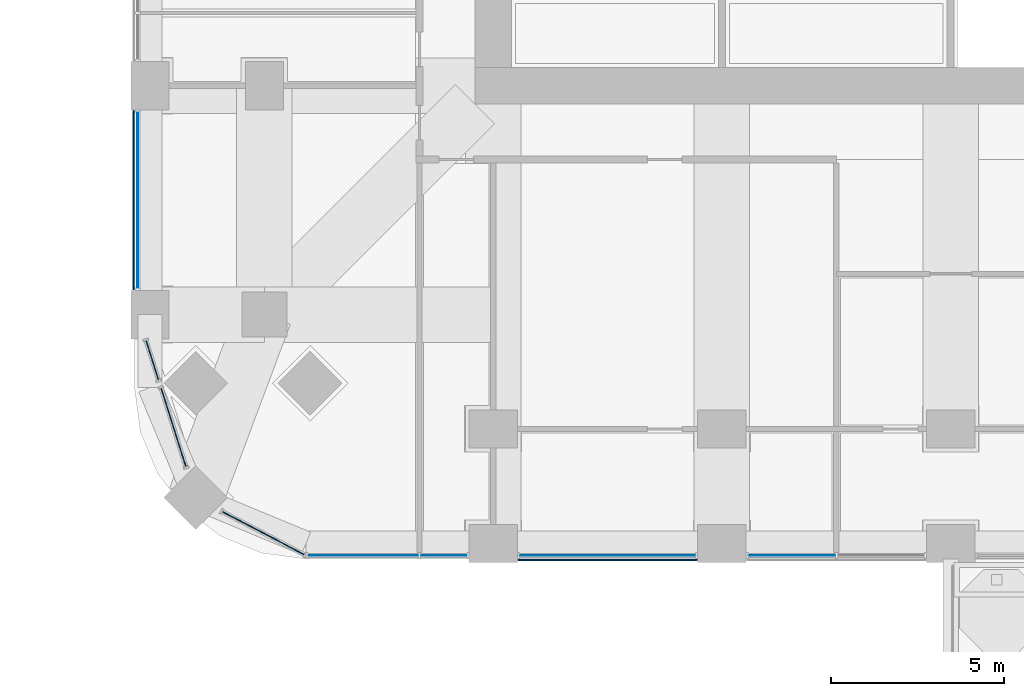
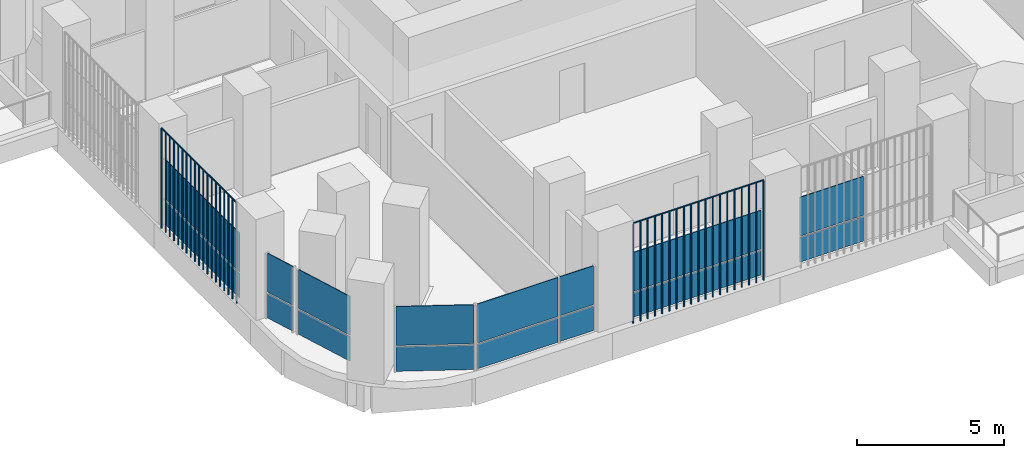
# One storey, part 9 of 23: 18 plates, 7 elements without a shape of their own.
"""IFC4 building model written with IfcOpenShell, lengths in metres."""

from ifc_helpers import new_model, si_unit, direction, frame, origin, origin_2d, place, context, subcontext, project, spatial, polyline, rectangle, outline, extrude, material, layer, layer_set, type_object, element, aggregate, save


model = new_model("IFC4")

# Units and contexts
model_context = context("Model", 3, precision=1e-05, world=origin(), true_north=direction((0.0, 1.0)))
body_context = subcontext(model_context, "Body", "Model", "MODEL_VIEW")
ifc_project = project(units=[si_unit("LENGTHUNIT", "METRE"), si_unit("AREAUNIT", "SQUARE_METRE"), si_unit("VOLUMEUNIT", "CUBIC_METRE"), si_unit("PLANEANGLEUNIT", "RADIAN"), si_unit("MASSUNIT", "GRAM", prefix="KILO")], contexts=[model_context])

# Site, building, storey
site_placement = place(None, origin())
site = spatial("IfcSite", under=ifc_project, at=site_placement, CompositionType="ELEMENT")
building_placement = place(site_placement, origin())
building = spatial("IfcBuilding", under=site, at=building_placement, Name="Cobogo Forest Laboratory Tower", CompositionType="ELEMENT")
storey_placement = place(building_placement, frame((0.0, 0.0, 128.39990234375)))
storey = spatial("IfcBuildingStorey", under=building, at=storey_placement, Name="L29", CompositionType="ELEMENT", Elevation=128.39990234375)

# Curtain wall, plates
ifc_material_1 = material(Name="Aluminium curtain wall", Category="aluminium")
curtain_wall_type = type_object("IfcCurtainWallType", Name="CW-1 unitised curtain wall, clear glazing, laboratory floors zones A and B", PredefinedType="USERDEFINED", material=ifc_material_1)
curtain_wall_1_placement = place(storey_placement, origin())
curtain_wall_1 = element("IfcCurtainWall", 1, at=curtain_wall_1_placement, inside=storey, type_object=curtain_wall_type, Name="Curtain wall 01 L29", ObjectType="UNITISED CURTAIN WALL", PredefinedType="USERDEFINED")
ifc_material_2 = material(Name="Clear insulated glass", Category="glass")
ifc_layer = layer(ifc_material_2, 0.028076171875)
ifc_layer_set = layer_set([ifc_layer], Name="GP-1 clear insulated glass unit 28")
plate_type_1 = type_object("IfcPlateType", Name="GP-1 clear insulated glass unit 28", PredefinedType="CURTAIN_PANEL", material=ifc_layer_set)
plate_1_placement = place(storey_placement, frame((9.452392578125, -0.35009765625, 0.0), z_axis=(0.0, 0.0, 1.0), x_axis=(1.0, 0.0, 0.0)))
plate_1 = element("IfcPlate", 2, at=plate_1_placement, type_object=plate_type_1, Name="CW-1 panel 1.1", PredefinedType="CURTAIN_PANEL", context=body_context, shape_type="SweptSolid", body=[
    extrude(rectangle(XDim=3.18505859375, YDim=0.028076171875, at=origin_2d()), origin(), (0.0, 0.0, 1.0), 1.02001953125),
])
plate_2_placement = place(storey_placement, frame((9.452392578125, -0.35009765625, 1.080078125), z_axis=(0.0, 0.0, 1.0), x_axis=(1.0, 0.0, 0.0)))
plate_2 = element("IfcPlate", 3, at=plate_2_placement, type_object=plate_type_1, Name="CW-1 panel 1.2", PredefinedType="CURTAIN_PANEL", context=body_context, shape_type="SweptSolid", body=[
    extrude(rectangle(XDim=3.18505859375, YDim=0.028076171875, at=origin_2d()), origin(), (0.0, 0.0, 1.0), 1.6201171875),
])
plate_3_placement = place(storey_placement, frame((11.7724609375, -0.35009765625, 0.0), z_axis=(0.0, 0.0, 1.0), x_axis=(1.0, 0.0, 0.0)))
plate_3 = element("IfcPlate", 4, at=plate_3_placement, type_object=plate_type_1, Name="CW-1 panel 2.1", PredefinedType="CURTAIN_PANEL", context=body_context, shape_type="SweptSolid", body=[
    extrude(rectangle(XDim=1.3349609375, YDim=0.028076171875, at=origin_2d()), origin(), (0.0, 0.0, 1.0), 1.02001953125),
])
plate_4_placement = place(storey_placement, frame((11.7724609375, -0.35009765625, 1.080078125), z_axis=(0.0, 0.0, 1.0), x_axis=(1.0, 0.0, 0.0)))
plate_4 = element("IfcPlate", 5, at=plate_4_placement, type_object=plate_type_1, Name="CW-1 panel 2.2", PredefinedType="CURTAIN_PANEL", context=body_context, shape_type="SweptSolid", body=[
    extrude(rectangle(XDim=1.3349609375, YDim=0.028076171875, at=origin_2d()), origin(), (0.0, 0.0, 1.0), 1.6201171875),
])
aggregate(curtain_wall_1, [plate_1, plate_2, plate_3, plate_4])

curtain_wall_2_placement = place(storey_placement, origin())
curtain_wall_2 = element("IfcCurtainWall", 6, at=curtain_wall_2_placement, inside=storey, type_object=curtain_wall_type, Name="Curtain wall 02 L29", ObjectType="UNITISED CURTAIN WALL", PredefinedType="USERDEFINED")
plate_5_placement = place(storey_placement, frame((16.5, -0.35009765625, 0.0), z_axis=(0.0, 0.0, 1.0), x_axis=(1.0, 0.0, 0.0)))
plate_5 = element("IfcPlate", 7, at=plate_5_placement, type_object=plate_type_1, Name="CW-1 panel 1.1", PredefinedType="CURTAIN_PANEL", context=body_context, shape_type="SweptSolid", body=[
    extrude(rectangle(XDim=5.080078125, YDim=0.028076171875, at=origin_2d()), origin(), (0.0, 0.0, 1.0), 1.02001953125),
])
plate_6_placement = place(storey_placement, frame((16.5, -0.35009765625, 1.080078125), z_axis=(0.0, 0.0, 1.0), x_axis=(1.0, 0.0, 0.0)))
plate_6 = element("IfcPlate", 8, at=plate_6_placement, type_object=plate_type_1, Name="CW-1 panel 1.2", PredefinedType="CURTAIN_PANEL", context=body_context, shape_type="SweptSolid", body=[
    extrude(rectangle(XDim=5.080078125, YDim=0.028076171875, at=origin_2d()), origin(), (0.0, 0.0, 1.0), 1.6201171875),
])
aggregate(curtain_wall_2, [plate_5, plate_6])

curtain_wall_3_placement = place(storey_placement, origin())
curtain_wall_3 = element("IfcCurtainWall", 9, at=curtain_wall_3_placement, inside=storey, type_object=curtain_wall_type, Name="Curtain wall 03 L29", ObjectType="UNITISED CURTAIN WALL", PredefinedType="USERDEFINED")
plate_7_placement = place(storey_placement, frame((21.81494140625, -0.35009765625, 0.0), z_axis=(0.0, 0.0, 1.0), x_axis=(1.0, 0.0, 0.0)))
plate_7 = element("IfcPlate", 10, at=plate_7_placement, type_object=plate_type_1, Name="CW-1 panel 1.1", PredefinedType="CURTAIN_PANEL", context=body_context, shape_type="SweptSolid", body=[
    extrude(rectangle(XDim=2.510009765625, YDim=0.028076171875, at=origin_2d()), origin(), (0.0, 0.0, 1.0), 1.02001953125),
])
plate_8_placement = place(storey_placement, frame((21.81494140625, -0.35009765625, 1.080078125), z_axis=(0.0, 0.0, 1.0), x_axis=(1.0, 0.0, 0.0)))
plate_8 = element("IfcPlate", 11, at=plate_8_placement, type_object=plate_type_1, Name="CW-1 panel 1.2", PredefinedType="CURTAIN_PANEL", context=body_context, shape_type="SweptSolid", body=[
    extrude(rectangle(XDim=2.510009765625, YDim=0.028076171875, at=origin_2d()), origin(), (0.0, 0.0, 1.0), 1.6201171875),
])
aggregate(curtain_wall_3, [plate_7, plate_8])

curtain_wall_4_placement = place(storey_placement, origin())
curtain_wall_4 = element("IfcCurtainWall", 12, at=curtain_wall_4_placement, inside=storey, type_object=curtain_wall_type, Name="Curtain wall 31 L29", ObjectType="UNITISED CURTAIN WALL", PredefinedType="USERDEFINED")
plate_9_placement = place(storey_placement, frame((2.949951171875, 9.89990234375, 0.0), z_axis=(0.0, 0.0, 1.0), x_axis=(0.0, -1.0, 0.0)))
plate_9 = element("IfcPlate", 13, at=plate_9_placement, type_object=plate_type_1, Name="CW-1 panel 1.1", PredefinedType="CURTAIN_PANEL", context=body_context, shape_type="SweptSolid", body=[
    extrude(rectangle(XDim=5.080078125, YDim=0.028076171875, at=origin_2d()), origin(), (0.0, 0.0, 1.0), 1.02001953125),
])
plate_10_placement = place(storey_placement, frame((2.949951171875, 9.89990234375, 1.080078125), z_axis=(0.0, 0.0, 1.0), x_axis=(0.0, -1.0, 0.0)))
plate_10 = element("IfcPlate", 14, at=plate_10_placement, type_object=plate_type_1, Name="CW-1 panel 1.2", PredefinedType="CURTAIN_PANEL", context=body_context, shape_type="SweptSolid", body=[
    extrude(rectangle(XDim=5.080078125, YDim=0.028076171875, at=origin_2d()), origin(), (0.0, 0.0, 1.0), 1.6201171875),
])
aggregate(curtain_wall_4, [plate_9, plate_10])

curtain_wall_5_placement = place(storey_placement, origin())
curtain_wall_5 = element("IfcCurtainWall", 15, at=curtain_wall_5_placement, inside=storey, type_object=curtain_wall_type, Name="Curtain wall 32 L29", ObjectType="UNITISED CURTAIN WALL", PredefinedType="USERDEFINED")
plate_11_placement = place(storey_placement, frame((3.3662109375, 5.2822265625, 0.0), z_axis=(0.0, 0.0, 1.0), x_axis=(0.301135356805, -0.953581405483, 0.0)))
plate_11 = element("IfcPlate", 16, at=plate_11_placement, type_object=plate_type_1, Name="CW-1 panel 1.1", PredefinedType="CURTAIN_PANEL", context=body_context, shape_type="SweptSolid", body=[
    extrude(rectangle(XDim=1.17578125, YDim=0.028076171875, at=origin_2d()), origin(), (0.0, 0.0, 1.0), 1.02001953125),
])
plate_12_placement = place(storey_placement, frame((3.3662109375, 5.2822265625, 1.080078125), z_axis=(0.0, 0.0, 1.0), x_axis=(0.301135356805, -0.953581405483, 0.0)))
plate_12 = element("IfcPlate", 17, at=plate_12_placement, type_object=plate_type_1, Name="CW-1 panel 1.2", PredefinedType="CURTAIN_PANEL", context=body_context, shape_type="SweptSolid", body=[
    extrude(rectangle(XDim=1.17578125, YDim=0.028076171875, at=origin_2d()), origin(), (0.0, 0.0, 1.0), 1.6201171875),
])
aggregate(curtain_wall_5, [plate_11, plate_12])

curtain_wall_6_placement = place(storey_placement, origin())
curtain_wall_6 = element("IfcCurtainWall", 18, at=curtain_wall_6_placement, inside=storey, type_object=curtain_wall_type, Name="Curtain wall 33 L29", ObjectType="UNITISED CURTAIN WALL", PredefinedType="USERDEFINED")
plate_13_placement = place(storey_placement, frame((3.978759765625, 3.342529296875, 0.0), z_axis=(0.0, 0.0, 1.0), x_axis=(0.301135291996, -0.953581425949, 0.0)))
plate_13 = element("IfcPlate", 19, at=plate_13_placement, type_object=plate_type_1, Name="CW-1 panel 1.1", PredefinedType="CURTAIN_PANEL", context=body_context, shape_type="SweptSolid", body=[
    extrude(rectangle(XDim=2.3681640625, YDim=0.028076171875, at=origin_2d()), origin(), (0.0, 0.0, 1.0), 1.02001953125),
])
plate_14_placement = place(storey_placement, frame((3.978759765625, 3.342529296875, 1.080078125), z_axis=(0.0, 0.0, 1.0), x_axis=(0.301135291996, -0.953581425949, 0.0)))
plate_14 = element("IfcPlate", 20, at=plate_14_placement, type_object=plate_type_1, Name="CW-1 panel 1.2", PredefinedType="CURTAIN_PANEL", context=body_context, shape_type="SweptSolid", body=[
    extrude(rectangle(XDim=2.3681640625, YDim=0.028076171875, at=origin_2d()), origin(), (0.0, 0.0, 1.0), 1.6201171875),
])
aggregate(curtain_wall_6, [plate_13, plate_14])

curtain_wall_7_placement = place(storey_placement, origin())
curtain_wall_7 = element("IfcCurtainWall", 21, at=curtain_wall_7_placement, inside=storey, type_object=curtain_wall_type, Name="Curtain wall 34 L29", ObjectType="UNITISED CURTAIN WALL", PredefinedType="USERDEFINED")
plate_15_placement = place(storey_placement, frame((6.57080078125, 0.29443359375, 0.0), z_axis=(0.0, 0.0, 1.0), x_axis=(0.885686547075, -0.464283685186, 0.0)))
plate_15 = element("IfcPlate", 22, at=plate_15_placement, type_object=plate_type_1, Name="CW-1 panel 1.1", PredefinedType="CURTAIN_PANEL", context=body_context, shape_type="SweptSolid", body=[
    extrude(rectangle(XDim=2.655517578125, YDim=0.028076171875, at=origin_2d()), origin(), (0.0, 0.0, 1.0), 1.02001953125),
])
plate_16_placement = place(storey_placement, frame((6.57080078125, 0.29443359375, 1.080078125), z_axis=(0.0, 0.0, 1.0), x_axis=(0.885686547075, -0.464283685186, 0.0)))
plate_16 = element("IfcPlate", 23, at=plate_16_placement, type_object=plate_type_1, Name="CW-1 panel 1.2", PredefinedType="CURTAIN_PANEL", context=body_context, shape_type="SweptSolid", body=[
    extrude(rectangle(XDim=2.655517578125, YDim=0.028076171875, at=origin_2d()), origin(), (0.0, 0.0, 1.0), 1.6201171875),
])
aggregate(curtain_wall_7, [plate_15, plate_16])

# Plates
ifc_material_3 = material(Name="Terracotta", Category="masonry")
plate_type_2 = type_object("IfcPlateType", Name="TB1 terracotta baguette screen", PredefinedType="USERDEFINED", material=ifc_material_3)
plate_17_placement = place(storey_placement, frame((13.93115234375, -0.477783203125, -0.14990234375)))
element("IfcPlate", 24, at=plate_17_placement, inside=storey, type_object=plate_type_2, Name="Baguette screen S1 L29", ObjectType="BAGUETTE SCREEN", PredefinedType="USERDEFINED", context=body_context, shape_type="SweptSolid", body=[
    extrude(outline(polyline([(0.02880859375, 0.011962890625), (0.011962890625, 0.02880859375), (-0.011962890625, 0.02880859375), (-0.02880859375, 0.011962890625), (-0.02880859375, -0.011962890625), (-0.011962890625, -0.02880859375), (0.011962890625, -0.02880859375), (0.02880859375, -0.011962890625), (0.02880859375, 0.011962890625)])), frame((0.0, 0.0, 4.168701171875), z_axis=(1.0, 0.0, 0.0), x_axis=(0.0, 1.0, 0.0)), (0.0, 0.0, 1.0), 5.1376953125),
    extrude(outline(polyline([(0.02880859375, 0.011962890625), (0.011962890625, 0.02880859375), (-0.011962890625, 0.02880859375), (-0.02880859375, 0.011962890625), (-0.02880859375, -0.011962890625), (-0.011962890625, -0.02880859375), (0.011962890625, -0.02880859375), (0.02880859375, -0.011962890625), (0.02880859375, 0.011962890625)])), origin(), (0.0, 0.0, 1.0), 4.137451171875),
    extrude(outline(polyline([(0.02880859375, 0.011962890625), (0.011962890625, 0.02880859375), (-0.011962890625, 0.02880859375), (-0.02880859375, 0.011962890625), (-0.02880859375, -0.011962890625), (-0.011962890625, -0.02880859375), (0.011962890625, -0.02880859375), (0.02880859375, -0.011962890625), (0.02880859375, 0.011962890625)])), frame((0.285400390625, 0.0, 0.0)), (0.0, 0.0, 1.0), 4.137451171875),
    extrude(outline(polyline([(0.02880859375, 0.011962890625), (0.011962890625, 0.02880859375), (-0.011962890625, 0.02880859375), (-0.02880859375, 0.011962890625), (-0.02880859375, -0.011962890625), (-0.011962890625, -0.02880859375), (0.011962890625, -0.02880859375), (0.02880859375, -0.011962890625), (0.02880859375, 0.011962890625)])), frame((0.57080078125, 0.0, 0.0)), (0.0, 0.0, 1.0), 4.137451171875),
    extrude(outline(polyline([(0.02880859375, 0.011962890625), (0.011962890625, 0.02880859375), (-0.011962890625, 0.02880859375), (-0.02880859375, 0.011962890625), (-0.02880859375, -0.011962890625), (-0.011962890625, -0.02880859375), (0.011962890625, -0.02880859375), (0.02880859375, -0.011962890625), (0.02880859375, 0.011962890625)])), frame((0.856201171875, 0.0, 0.0)), (0.0, 0.0, 1.0), 4.137451171875),
    extrude(outline(polyline([(0.02880859375, 0.011962890625), (0.011962890625, 0.02880859375), (-0.011962890625, 0.02880859375), (-0.02880859375, 0.011962890625), (-0.02880859375, -0.011962890625), (-0.011962890625, -0.02880859375), (0.011962890625, -0.02880859375), (0.02880859375, -0.011962890625), (0.02880859375, 0.011962890625)])), frame((1.1416015625, 0.0, 0.0)), (0.0, 0.0, 1.0), 4.137451171875),
    extrude(outline(polyline([(0.02880859375, 0.011962890625), (0.011962890625, 0.02880859375), (-0.011962890625, 0.02880859375), (-0.02880859375, 0.011962890625), (-0.02880859375, -0.011962890625), (-0.011962890625, -0.02880859375), (0.011962890625, -0.02880859375), (0.02880859375, -0.011962890625), (0.02880859375, 0.011962890625)])), frame((1.42724609375, 0.0, 0.0)), (0.0, 0.0, 1.0), 4.137451171875),
    extrude(outline(polyline([(0.02880859375, 0.011962890625), (0.011962890625, 0.02880859375), (-0.011962890625, 0.02880859375), (-0.02880859375, 0.011962890625), (-0.02880859375, -0.011962890625), (-0.011962890625, -0.02880859375), (0.011962890625, -0.02880859375), (0.02880859375, -0.011962890625), (0.02880859375, 0.011962890625)])), frame((1.712646484375, 0.0, 0.0)), (0.0, 0.0, 1.0), 4.137451171875),
    extrude(outline(polyline([(0.02880859375, 0.011962890625), (0.011962890625, 0.02880859375), (-0.011962890625, 0.02880859375), (-0.02880859375, 0.011962890625), (-0.02880859375, -0.011962890625), (-0.011962890625, -0.02880859375), (0.011962890625, -0.02880859375), (0.02880859375, -0.011962890625), (0.02880859375, 0.011962890625)])), frame((1.998046875, 0.0, 0.0)), (0.0, 0.0, 1.0), 4.137451171875),
    extrude(outline(polyline([(0.02880859375, 0.011962890625), (0.011962890625, 0.02880859375), (-0.011962890625, 0.02880859375), (-0.02880859375, 0.011962890625), (-0.02880859375, -0.011962890625), (-0.011962890625, -0.02880859375), (0.011962890625, -0.02880859375), (0.02880859375, -0.011962890625), (0.02880859375, 0.011962890625)])), frame((2.283447265625, 0.0, 0.0)), (0.0, 0.0, 1.0), 4.137451171875),
    extrude(outline(polyline([(0.02880859375, 0.011962890625), (0.011962890625, 0.02880859375), (-0.011962890625, 0.02880859375), (-0.02880859375, 0.011962890625), (-0.02880859375, -0.011962890625), (-0.011962890625, -0.02880859375), (0.011962890625, -0.02880859375), (0.02880859375, -0.011962890625), (0.02880859375, 0.011962890625)])), frame((2.56884765625, 0.0, 0.0)), (0.0, 0.0, 1.0), 4.137451171875),
    extrude(outline(polyline([(0.02880859375, 0.011962890625), (0.011962890625, 0.02880859375), (-0.011962890625, 0.02880859375), (-0.02880859375, 0.011962890625), (-0.02880859375, -0.011962890625), (-0.011962890625, -0.02880859375), (0.011962890625, -0.02880859375), (0.02880859375, -0.011962890625), (0.02880859375, 0.011962890625)])), frame((2.854248046875, 0.0, 0.0)), (0.0, 0.0, 1.0), 4.137451171875),
    extrude(outline(polyline([(0.02880859375, 0.011962890625), (0.011962890625, 0.02880859375), (-0.011962890625, 0.02880859375), (-0.02880859375, 0.011962890625), (-0.02880859375, -0.011962890625), (-0.011962890625, -0.02880859375), (0.011962890625, -0.02880859375), (0.02880859375, -0.011962890625), (0.02880859375, 0.011962890625)])), frame((3.1396484375, 0.0, 0.0)), (0.0, 0.0, 1.0), 4.137451171875),
    extrude(outline(polyline([(0.02880859375, 0.011962890625), (0.011962890625, 0.02880859375), (-0.011962890625, 0.02880859375), (-0.02880859375, 0.011962890625), (-0.02880859375, -0.011962890625), (-0.011962890625, -0.02880859375), (0.011962890625, -0.02880859375), (0.02880859375, -0.011962890625), (0.02880859375, 0.011962890625)])), frame((3.425048828125, 0.0, 0.0)), (0.0, 0.0, 1.0), 4.137451171875),
    extrude(outline(polyline([(0.02880859375, 0.011962890625), (0.011962890625, 0.02880859375), (-0.011962890625, 0.02880859375), (-0.02880859375, 0.011962890625), (-0.02880859375, -0.011962890625), (-0.011962890625, -0.02880859375), (0.011962890625, -0.02880859375), (0.02880859375, -0.011962890625), (0.02880859375, 0.011962890625)])), frame((3.71044921875, 0.0, 0.0)), (0.0, 0.0, 1.0), 4.137451171875),
    extrude(outline(polyline([(0.02880859375, 0.011962890625), (0.011962890625, 0.02880859375), (-0.011962890625, 0.02880859375), (-0.02880859375, 0.011962890625), (-0.02880859375, -0.011962890625), (-0.011962890625, -0.02880859375), (0.011962890625, -0.02880859375), (0.02880859375, -0.011962890625), (0.02880859375, 0.011962890625)])), frame((3.99609375, 0.0, 0.0)), (0.0, 0.0, 1.0), 4.137451171875),
    extrude(outline(polyline([(0.02880859375, 0.011962890625), (0.011962890625, 0.02880859375), (-0.011962890625, 0.02880859375), (-0.02880859375, 0.011962890625), (-0.02880859375, -0.011962890625), (-0.011962890625, -0.02880859375), (0.011962890625, -0.02880859375), (0.02880859375, -0.011962890625), (0.02880859375, 0.011962890625)])), frame((4.281494140625, 0.0, 0.0)), (0.0, 0.0, 1.0), 4.137451171875),
    extrude(outline(polyline([(0.02880859375, 0.011962890625), (0.011962890625, 0.02880859375), (-0.011962890625, 0.02880859375), (-0.02880859375, 0.011962890625), (-0.02880859375, -0.011962890625), (-0.011962890625, -0.02880859375), (0.011962890625, -0.02880859375), (0.02880859375, -0.011962890625), (0.02880859375, 0.011962890625)])), frame((4.56689453125, 0.0, 0.0)), (0.0, 0.0, 1.0), 4.137451171875),
    extrude(outline(polyline([(0.02880859375, 0.011962890625), (0.011962890625, 0.02880859375), (-0.011962890625, 0.02880859375), (-0.02880859375, 0.011962890625), (-0.02880859375, -0.011962890625), (-0.011962890625, -0.02880859375), (0.011962890625, -0.02880859375), (0.02880859375, -0.011962890625), (0.02880859375, 0.011962890625)])), frame((4.852294921875, 0.0, 0.0)), (0.0, 0.0, 1.0), 4.137451171875),
    extrude(outline(polyline([(0.02880859375, 0.011962890625), (0.011962890625, 0.02880859375), (-0.011962890625, 0.02880859375), (-0.02880859375, 0.011962890625), (-0.02880859375, -0.011962890625), (-0.011962890625, -0.02880859375), (0.011962890625, -0.02880859375), (0.02880859375, -0.011962890625), (0.02880859375, 0.011962890625)])), frame((5.1376953125, 0.0, 0.0)), (0.0, 0.0, 1.0), 4.137451171875),
])
plate_18_placement = place(storey_placement, frame((2.822021484375, 7.331298828125, -0.14990234375)))
element("IfcPlate", 25, at=plate_18_placement, inside=storey, type_object=plate_type_2, Name="Baguette screen W1 L29", ObjectType="BAGUETTE SCREEN", PredefinedType="USERDEFINED", context=body_context, shape_type="SweptSolid", body=[
    extrude(outline(polyline([(0.02880859375, 0.011962890625), (0.011962890625, 0.02880859375), (-0.011962890625, 0.02880859375), (-0.02880859375, 0.011962890625), (-0.02880859375, -0.011962890625), (-0.011962890625, -0.02880859375), (0.011962890625, -0.02880859375), (0.02880859375, -0.011962890625), (0.02880859375, 0.011962890625)])), frame((0.0, 0.0, 4.168701171875), z_axis=(0.0, 1.0, 0.0), x_axis=(-1.0, 0.0, 0.0)), (0.0, 0.0, 1.0), 5.137451171875),
    extrude(outline(polyline([(0.02880859375, 0.011962890625), (0.011962890625, 0.02880859375), (-0.011962890625, 0.02880859375), (-0.02880859375, 0.011962890625), (-0.02880859375, -0.011962890625), (-0.011962890625, -0.02880859375), (0.011962890625, -0.02880859375), (0.02880859375, -0.011962890625), (0.02880859375, 0.011962890625)])), origin(), (0.0, 0.0, 1.0), 4.137451171875),
    extrude(outline(polyline([(0.02880859375, 0.011962890625), (0.011962890625, 0.02880859375), (-0.011962890625, 0.02880859375), (-0.02880859375, 0.011962890625), (-0.02880859375, -0.011962890625), (-0.011962890625, -0.02880859375), (0.011962890625, -0.02880859375), (0.02880859375, -0.011962890625), (0.02880859375, 0.011962890625)])), frame((0.0, 0.285400390625, 0.0)), (0.0, 0.0, 1.0), 4.137451171875),
    extrude(outline(polyline([(0.02880859375, 0.011962890625), (0.011962890625, 0.02880859375), (-0.011962890625, 0.02880859375), (-0.02880859375, 0.011962890625), (-0.02880859375, -0.011962890625), (-0.011962890625, -0.02880859375), (0.011962890625, -0.02880859375), (0.02880859375, -0.011962890625), (0.02880859375, 0.011962890625)])), frame((0.0, 0.57080078125, 0.0)), (0.0, 0.0, 1.0), 4.137451171875),
    extrude(outline(polyline([(0.02880859375, 0.011962890625), (0.011962890625, 0.02880859375), (-0.011962890625, 0.02880859375), (-0.02880859375, 0.011962890625), (-0.02880859375, -0.011962890625), (-0.011962890625, -0.02880859375), (0.011962890625, -0.02880859375), (0.02880859375, -0.011962890625), (0.02880859375, 0.011962890625)])), frame((0.0, 0.856201171875, 0.0)), (0.0, 0.0, 1.0), 4.137451171875),
    extrude(outline(polyline([(0.02880859375, 0.011962890625), (0.011962890625, 0.02880859375), (-0.011962890625, 0.02880859375), (-0.02880859375, 0.011962890625), (-0.02880859375, -0.011962890625), (-0.011962890625, -0.02880859375), (0.011962890625, -0.02880859375), (0.02880859375, -0.011962890625), (0.02880859375, 0.011962890625)])), frame((0.0, 1.1416015625, 0.0)), (0.0, 0.0, 1.0), 4.137451171875),
    extrude(outline(polyline([(0.02880859375, 0.011962890625), (0.011962890625, 0.02880859375), (-0.011962890625, 0.02880859375), (-0.02880859375, 0.011962890625), (-0.02880859375, -0.011962890625), (-0.011962890625, -0.02880859375), (0.011962890625, -0.02880859375), (0.02880859375, -0.011962890625), (0.02880859375, 0.011962890625)])), frame((0.0, 1.427001953125, 0.0)), (0.0, 0.0, 1.0), 4.137451171875),
    extrude(outline(polyline([(0.02880859375, 0.011962890625), (0.011962890625, 0.02880859375), (-0.011962890625, 0.02880859375), (-0.02880859375, 0.011962890625), (-0.02880859375, -0.011962890625), (-0.011962890625, -0.02880859375), (0.011962890625, -0.02880859375), (0.02880859375, -0.011962890625), (0.02880859375, 0.011962890625)])), frame((0.0, 1.71240234375, 0.0)), (0.0, 0.0, 1.0), 4.137451171875),
    extrude(outline(polyline([(0.02880859375, 0.011962890625), (0.011962890625, 0.02880859375), (-0.011962890625, 0.02880859375), (-0.02880859375, 0.011962890625), (-0.02880859375, -0.011962890625), (-0.011962890625, -0.02880859375), (0.011962890625, -0.02880859375), (0.02880859375, -0.011962890625), (0.02880859375, 0.011962890625)])), frame((0.0, 1.997802734375, 0.0)), (0.0, 0.0, 1.0), 4.137451171875),
    extrude(outline(polyline([(0.02880859375, 0.011962890625), (0.011962890625, 0.02880859375), (-0.011962890625, 0.02880859375), (-0.02880859375, 0.011962890625), (-0.02880859375, -0.011962890625), (-0.011962890625, -0.02880859375), (0.011962890625, -0.02880859375), (0.02880859375, -0.011962890625), (0.02880859375, 0.011962890625)])), frame((0.0, 2.283203125, 0.0)), (0.0, 0.0, 1.0), 4.137451171875),
    extrude(outline(polyline([(0.02880859375, 0.011962890625), (0.011962890625, 0.02880859375), (-0.011962890625, 0.02880859375), (-0.02880859375, 0.011962890625), (-0.02880859375, -0.011962890625), (-0.011962890625, -0.02880859375), (0.011962890625, -0.02880859375), (0.02880859375, -0.011962890625), (0.02880859375, 0.011962890625)])), frame((0.0, 2.56884765625, 0.0)), (0.0, 0.0, 1.0), 4.137451171875),
    extrude(outline(polyline([(0.02880859375, 0.011962890625), (0.011962890625, 0.02880859375), (-0.011962890625, 0.02880859375), (-0.02880859375, 0.011962890625), (-0.02880859375, -0.011962890625), (-0.011962890625, -0.02880859375), (0.011962890625, -0.02880859375), (0.02880859375, -0.011962890625), (0.02880859375, 0.011962890625)])), frame((0.0, 2.854248046875, 0.0)), (0.0, 0.0, 1.0), 4.137451171875),
    extrude(outline(polyline([(0.02880859375, 0.011962890625), (0.011962890625, 0.02880859375), (-0.011962890625, 0.02880859375), (-0.02880859375, 0.011962890625), (-0.02880859375, -0.011962890625), (-0.011962890625, -0.02880859375), (0.011962890625, -0.02880859375), (0.02880859375, -0.011962890625), (0.02880859375, 0.011962890625)])), frame((0.0, 3.1396484375, 0.0)), (0.0, 0.0, 1.0), 4.137451171875),
    extrude(outline(polyline([(0.02880859375, 0.011962890625), (0.011962890625, 0.02880859375), (-0.011962890625, 0.02880859375), (-0.02880859375, 0.011962890625), (-0.02880859375, -0.011962890625), (-0.011962890625, -0.02880859375), (0.011962890625, -0.02880859375), (0.02880859375, -0.011962890625), (0.02880859375, 0.011962890625)])), frame((0.0, 3.425048828125, 0.0)), (0.0, 0.0, 1.0), 4.137451171875),
    extrude(outline(polyline([(0.02880859375, 0.011962890625), (0.011962890625, 0.02880859375), (-0.011962890625, 0.02880859375), (-0.02880859375, 0.011962890625), (-0.02880859375, -0.011962890625), (-0.011962890625, -0.02880859375), (0.011962890625, -0.02880859375), (0.02880859375, -0.011962890625), (0.02880859375, 0.011962890625)])), frame((0.0, 3.71044921875, 0.0)), (0.0, 0.0, 1.0), 4.137451171875),
    extrude(outline(polyline([(0.02880859375, 0.011962890625), (0.011962890625, 0.02880859375), (-0.011962890625, 0.02880859375), (-0.02880859375, 0.011962890625), (-0.02880859375, -0.011962890625), (-0.011962890625, -0.02880859375), (0.011962890625, -0.02880859375), (0.02880859375, -0.011962890625), (0.02880859375, 0.011962890625)])), frame((0.0, 3.995849609375, 0.0)), (0.0, 0.0, 1.0), 4.137451171875),
    extrude(outline(polyline([(0.02880859375, 0.011962890625), (0.011962890625, 0.02880859375), (-0.011962890625, 0.02880859375), (-0.02880859375, 0.011962890625), (-0.02880859375, -0.011962890625), (-0.011962890625, -0.02880859375), (0.011962890625, -0.02880859375), (0.02880859375, -0.011962890625), (0.02880859375, 0.011962890625)])), frame((0.0, 4.28125, 0.0)), (0.0, 0.0, 1.0), 4.137451171875),
    extrude(outline(polyline([(0.02880859375, 0.011962890625), (0.011962890625, 0.02880859375), (-0.011962890625, 0.02880859375), (-0.02880859375, 0.011962890625), (-0.02880859375, -0.011962890625), (-0.011962890625, -0.02880859375), (0.011962890625, -0.02880859375), (0.02880859375, -0.011962890625), (0.02880859375, 0.011962890625)])), frame((0.0, 4.566650390625, 0.0)), (0.0, 0.0, 1.0), 4.137451171875),
    extrude(outline(polyline([(0.02880859375, 0.011962890625), (0.011962890625, 0.02880859375), (-0.011962890625, 0.02880859375), (-0.02880859375, 0.011962890625), (-0.02880859375, -0.011962890625), (-0.011962890625, -0.02880859375), (0.011962890625, -0.02880859375), (0.02880859375, -0.011962890625), (0.02880859375, 0.011962890625)])), frame((0.0, 4.85205078125, 0.0)), (0.0, 0.0, 1.0), 4.137451171875),
    extrude(outline(polyline([(0.02880859375, 0.011962890625), (0.011962890625, 0.02880859375), (-0.011962890625, 0.02880859375), (-0.02880859375, 0.011962890625), (-0.02880859375, -0.011962890625), (-0.011962890625, -0.02880859375), (0.011962890625, -0.02880859375), (0.02880859375, -0.011962890625), (0.02880859375, 0.011962890625)])), frame((0.0, 5.137451171875, 0.0)), (0.0, 0.0, 1.0), 4.137451171875),
])

save(model, "model.ifc")
